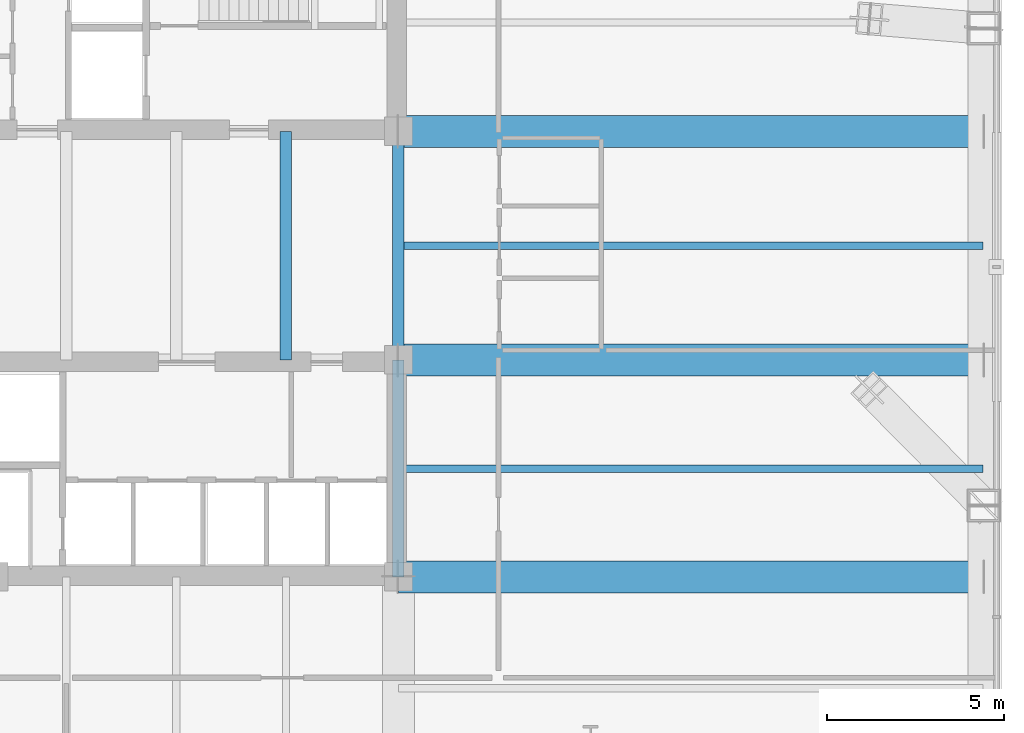
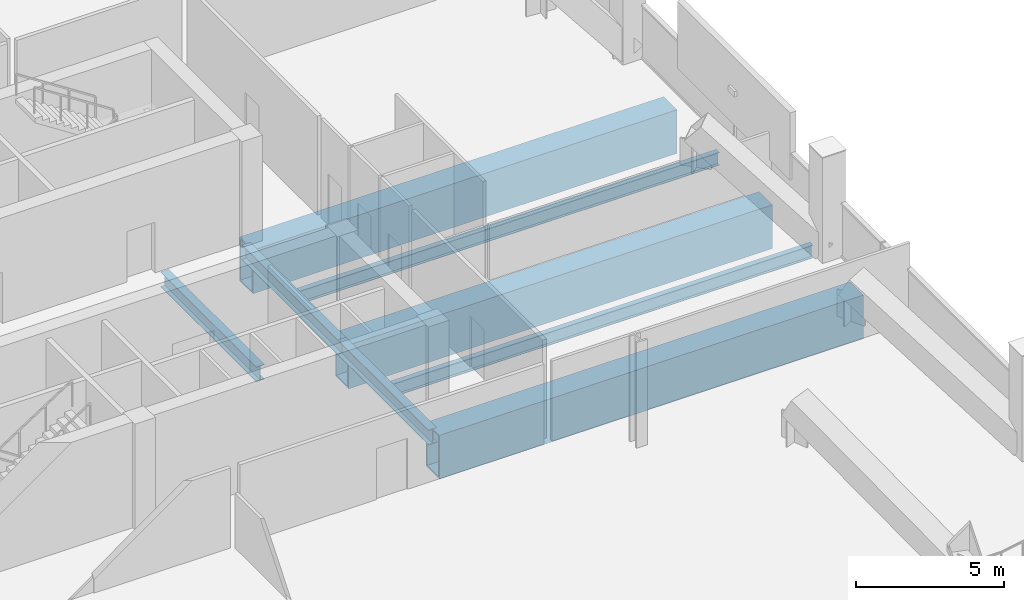
# One storey, part 13 of 38: 8 beams.
"""IFC4 building model written with IfcOpenShell, lengths in metres."""

from ifc_helpers import new_model, si_unit, direction, frame, origin, origin_2d, place, context, subcontext, project, spatial, hollow_rectangle, i_section, extrude, material, material_profile, profile_set, type_object, element, save


model = new_model("IFC4")

# Units and contexts
model_context = context("Model", 3, precision=1e-05, world=origin(), true_north=direction((0.0, 1.0)))
body_context = subcontext(model_context, "Body", "Model", "MODEL_VIEW")
ifc_project = project(units=[si_unit("LENGTHUNIT", "METRE"), si_unit("AREAUNIT", "SQUARE_METRE"), si_unit("VOLUMEUNIT", "CUBIC_METRE"), si_unit("PLANEANGLEUNIT", "RADIAN"), si_unit("MASSUNIT", "GRAM", prefix="KILO")], contexts=[model_context])

# Site, building, storey
site_placement = place(None, origin())
site = spatial("IfcSite", under=ifc_project, at=site_placement, CompositionType="ELEMENT")
building_placement = place(site_placement, origin())
building = spatial("IfcBuilding", under=site, at=building_placement, Name="Qhalaya Broadcast Tower", CompositionType="ELEMENT")
storey_placement = place(building_placement, frame((0.0, 0.0, 53.550048828125)))
storey = spatial("IfcBuildingStorey", under=building, at=storey_placement, Name="L15", CompositionType="ELEMENT", Elevation=53.550048828125)

# Beams
ifc_material_1 = material(Name="Structural Steel ASTM A572 Grade 50", Category="steel")
ifc_material_profile_1 = material_profile(ifc_material_1, hollow_rectangle(XDim=0.89990234375, YDim=1.800048828125, WallThickness=0.06005859375, at=origin_2d()), Name="BOX 900x1800x60")
ifc_profile_set_1 = profile_set([ifc_material_profile_1], Name="Structural Steel ASTM A572 Grade 50")
beam_type_1 = type_object("IfcBeamType", Name="Block Cantilever Transfer Box Girder TG1", PredefinedType="USERDEFINED", material=ifc_profile_set_1)
for number, where, z_axis, x_axis, name in (
    (1, (9.375, -8.75, -1.1201171875), (1.0, 0.0, 0.0), (0.0, 1.0, 0.0), "L15 TG1 L15-PGYE1-1"),
    (2, (9.375, -2.625, -1.1201171875), (1.0, 0.0, 0.0), (0.0, 1.0, 0.0), "L15 TG1 L15-PGYE2-1"),
    (3, (9.375, 3.824951171875, -1.1201171875), (1.0, 0.0, 0.0), (0.0, 1.0, 0.0), "L15 TG1 L15-PGYE3-1"),
):
    element("IfcBeam", number, at=place(storey_placement, frame(where, z_axis=z_axis, x_axis=x_axis)), inside=storey, type_object=beam_type_1, Name=name, ObjectType="GIRDER", PredefinedType="USERDEFINED", context=body_context, shape_type="SweptSolid", body=[
        extrude(hollow_rectangle(XDim=0.89990234375, YDim=1.800048828125, WallThickness=0.06005859375, at=origin_2d()), origin(), (0.0, 0.0, 1.0), 16.5048828125),
    ])
ifc_material_2 = material(Name="Structural Steel ASTM A992 Grade 50", Category="steel")
ifc_material_profile_2 = material_profile(ifc_material_2, i_section(OverallWidth=0.2099609375, OverallDepth=0.535888671875, WebThickness=0.010986328125, FlangeThickness=0.017333984375, at=origin_2d()), Name="W21X68")
ifc_profile_set_2 = profile_set([ifc_material_profile_2], Name="Structural Steel ASTM A992 Grade 50")
beam_type_2 = type_object("IfcBeamType", Name="Composite Floor Joist J02", PredefinedType="JOIST", material=ifc_profile_set_2)
for number, where, z_axis, x_axis, name in (
    (4, (9.375, -5.699951171875, -0.488037109375), (1.0, 0.0, 0.0), (0.0, 1.0, 0.0), "L15 J02 L15-JWE3E-1"),
    (5, (9.375, 0.60009765625, -0.488037109375), (1.0, 0.0, 0.0), (0.0, 1.0, 0.0), "L15 J02 L15-JWE4E-1"),
):
    element("IfcBeam", number, at=place(storey_placement, frame(where, z_axis=z_axis, x_axis=x_axis)), inside=storey, type_object=beam_type_2, Name=name, PredefinedType="JOIST", context=body_context, shape_type="SweptSolid", body=[
        extrude(i_section(OverallWidth=0.2099609375, OverallDepth=0.535888671875, WebThickness=0.010986328125, FlangeThickness=0.017333984375, at=origin_2d()), origin(), (0.0, 0.0, 1.0), 16.5048828125),
    ])
ifc_material_profile_3 = material_profile(ifc_material_2, i_section(OverallWidth=0.323974609375, OverallDepth=0.612060546875, WebThickness=0.0126953125, FlangeThickness=0.01904296875, at=origin_2d()), Name="W24X104")
ifc_profile_set_3 = profile_set([ifc_material_profile_3], Name="Structural Steel ASTM A992 Grade 50")
beam_type_3 = type_object("IfcBeamType", Name="Core Frame Tie Beam B04", PredefinedType="BEAM", material=ifc_profile_set_3)
beam_placement = place(storey_placement, frame((9.375, -8.75, -0.526123046875), z_axis=(0.0, 1.0, 0.0), x_axis=(-1.0, 0.0, 0.0)))
element("IfcBeam", 6, at=beam_placement, inside=storey, type_object=beam_type_3, Name="L15 B04 L15-CCS2", PredefinedType="BEAM", context=body_context, shape_type="SweptSolid", body=[
    extrude(i_section(OverallWidth=0.323974609375, OverallDepth=0.612060546875, WebThickness=0.0126953125, FlangeThickness=0.01904296875, at=origin_2d()), origin(), (0.0, 0.0, 1.0), 6.125),
])
for number, where, z_axis, x_axis, name in (
    (7, (9.375, -2.625, -0.526123046875), (0.0, 1.0, 0.0), (-1.0, 0.0, 0.0), "L15 B04 L15-CCE"),
    (8, (6.199951171875, -2.625, -0.526123046875), (0.0, 1.0, 0.0), (-1.0, 0.0, 0.0), "L15 B04 L15-JC5-1"),
):
    element("IfcBeam", number, at=place(storey_placement, frame(where, z_axis=z_axis, x_axis=x_axis)), inside=storey, type_object=beam_type_3, Name=name, PredefinedType="BEAM", context=body_context, shape_type="SweptSolid", body=[
        extrude(i_section(OverallWidth=0.323974609375, OverallDepth=0.612060546875, WebThickness=0.0126953125, FlangeThickness=0.01904296875, at=origin_2d()), origin(), (0.0, 0.0, 1.0), 6.449951171875),
    ])

save(model, "model.ifc")
